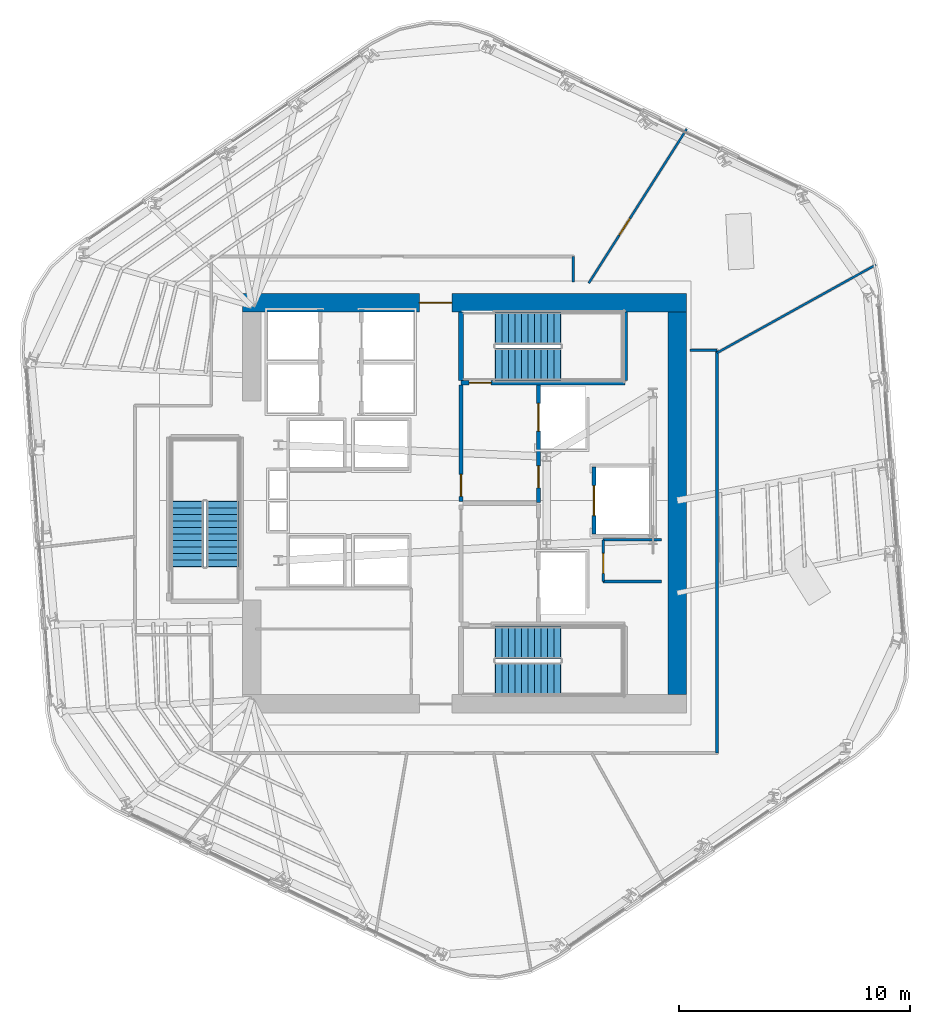
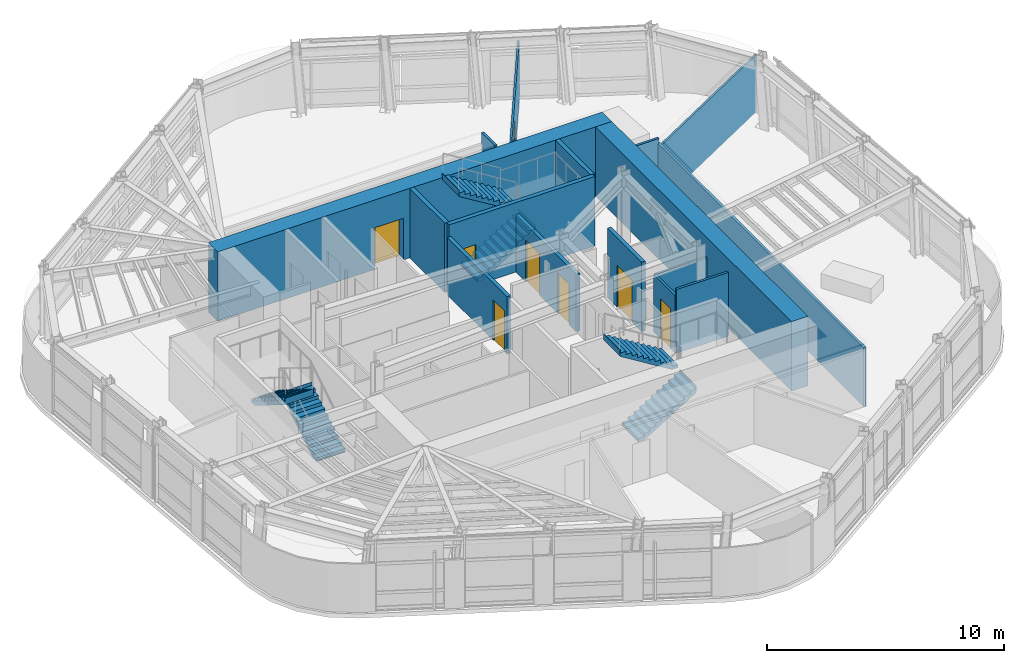
# One storey, part 9 of 15: 16 walls, 8 doors, 6 stair flights, 8 openings, 3 elements without a shape of their own.
"""IFC4 building model written with IfcOpenShell, lengths in metres."""

import ifcopenshell
import ifcopenshell.guid

model = None  # the IFC model being written
_history = None  # IfcOwnerHistory: only IFC2X3 demands one
_inside = {}  # id of a spatial element -> (the spatial element, [elements in it])
_under = {}  # id of a project, library or spatial element -> (it, [spatial elements below it])
_declared = {}  # id of a project -> (the project, [libraries it declares])
_typed = {}  # id of a type object -> (the type object, [elements of that type])
_made_of = {}  # id of a material, layer set ... -> (it, [elements and type objects made of it])


def new_model(schema):
    """Start an empty IFC model of exactly this schema.

    Asked for "IFC4X3", IfcOpenShell would pick the latest addendum, in which some entities
    have other attributes; the version numbers below select the first issue.
    IFC2X3 requires an IfcOwnerHistory on every rooted entity: one is made here for all.
    """
    global model, _history
    if schema == "IFC4X3":
        model = ifcopenshell.file(schema_version=(4, 3, 0, 0))
    else:
        model = ifcopenshell.file(schema=schema)
    _inside.clear()
    _under.clear()
    _declared.clear()
    _typed.clear()
    _made_of.clear()
    _history = None
    if model.schema == "IFC2X3":
        org = make("IfcOrganization", Name="unknown")
        user = make(
            "IfcPersonAndOrganization",
            ThePerson=make("IfcPerson", FamilyName="unknown"),
            TheOrganization=org,
        )
        app = make(
            "IfcApplication",
            ApplicationDeveloper=org,
            Version="unknown",
            ApplicationFullName="unknown",
            ApplicationIdentifier="unknown",
        )
        _history = make(
            "IfcOwnerHistory",
            OwningUser=user,
            OwningApplication=app,
            ChangeAction="ADDED",
            CreationDate=0,
        )
    return model


def make(cls, **values):
    """One entity of the class cls with the attributes given. An attribute that is None is left unset."""
    return model.create_entity(
        cls, **{name: value for name, value in values.items() if value is not None}
    )


def rooted(cls, **values):
    """An entity with a GlobalId (a new one), such as an element, a storey or a relation."""
    return make(cls, GlobalId=ifcopenshell.guid.new(), OwnerHistory=_history, **values)


def si_unit(unit_type, name, prefix=None):
    """IfcSIUnit, for example si_unit("LENGTHUNIT", "METRE", prefix="MILLI")."""
    return make("IfcSIUnit", UnitType=unit_type, Prefix=prefix, Name=name)


def assignment(units):
    """IfcUnitAssignment: the units of a project."""
    return None if units is None else make("IfcUnitAssignment", Units=units)


def point(xyz):
    """IfcCartesianPoint."""
    return None if xyz is None else make("IfcCartesianPoint", Coordinates=xyz)


def direction(xyz):
    """IfcDirection."""
    return None if xyz is None else make("IfcDirection", DirectionRatios=xyz)


def frame(location, z_axis=None, x_axis=None):
    """IfcAxis2Placement3D, a coordinate frame: its origin and axes. An axis left out is left unset."""
    return make(
        "IfcAxis2Placement3D",
        Location=point(location),
        Axis=direction(z_axis),
        RefDirection=direction(x_axis),
    )


def frame_2d(location, x_axis=None):
    """IfcAxis2Placement2D, a coordinate frame in the plane: its origin and x axis."""
    return make(
        "IfcAxis2Placement2D", Location=point(location), RefDirection=direction(x_axis)
    )


def origin():
    """The frame at (0, 0, 0) with its axes left unset."""
    return frame((0.0, 0.0, 0.0))


def place(relative_to, where):
    """IfcLocalPlacement: puts the frame where relative to a parent placement (None: the world)."""
    return make(
        "IfcLocalPlacement", PlacementRelTo=relative_to, RelativePlacement=where
    )


def context(
    kind, dimensions, precision=None, world=None, true_north=None, identifier=None
):
    """IfcGeometricRepresentationContext, for example the 3D "Model" context."""
    return make(
        "IfcGeometricRepresentationContext",
        ContextIdentifier=identifier,
        ContextType=kind,
        CoordinateSpaceDimension=dimensions,
        Precision=precision,
        WorldCoordinateSystem=world,
        TrueNorth=true_north,
    )


def subcontext(parent, identifier, kind, view, scale=None):
    """IfcGeometricRepresentationSubContext, for example "Body" below "Model"."""
    return make(
        "IfcGeometricRepresentationSubContext",
        ContextIdentifier=identifier,
        ContextType=kind,
        ParentContext=parent,
        TargetScale=scale,
        TargetView=view,
    )


def project(units=None, contexts=None):
    """IfcProject with its units and contexts."""
    return rooted(
        "IfcProject",
        Name="project",
        RepresentationContexts=contexts,
        UnitsInContext=assignment(units),
    )


def spatial(cls, under=None, at=None, **own):
    """A site, building, storey or space (cls), placed at a placement, below another one or the project."""
    s = rooted(cls, ObjectPlacement=at, **own)
    if under is not None:
        _under.setdefault(under.id(), (under, []))[1].append(s)
    return s


def polyline(points):
    """IfcPolyline through the points."""
    return make("IfcPolyline", Points=[point(p) for p in points])


def profile(cls, at=None, kind="AREA", **sizes):
    """A parametric profile (cls). Its sizes go by their IFC names, for example OverallWidth=200.0."""
    return make(cls, ProfileType=kind, Position=at, **sizes)


def rectangle(**sizes):
    """IfcRectangleProfileDef."""
    return profile("IfcRectangleProfileDef", **sizes)


def outline(outer, holes=None, kind="AREA"):
    """IfcArbitraryClosedProfileDef: a profile drawn as a closed curve; with holes, ...WithVoids."""
    if holes is None:
        return make("IfcArbitraryClosedProfileDef", ProfileType=kind, OuterCurve=outer)
    return make(
        "IfcArbitraryProfileDefWithVoids",
        ProfileType=kind,
        OuterCurve=outer,
        InnerCurves=holes,
    )


def extrude(swept, where, along, depth):
    """IfcExtrudedAreaSolid: the profile swept, set in the frame where, extruded along a direction by depth."""
    return make(
        "IfcExtrudedAreaSolid",
        SweptArea=swept,
        Position=where,
        ExtrudedDirection=direction(along),
        Depth=depth,
    )


def shape(context_of_items, identifier, shape_type, items):
    """IfcShapeRepresentation: the items that make up one representation, for example the "Body"."""
    return make(
        "IfcShapeRepresentation",
        ContextOfItems=context_of_items,
        RepresentationIdentifier=identifier,
        RepresentationType=shape_type,
        Items=items,
    )


def material(Name=None, Category=None):
    """IfcMaterial."""
    return make("IfcMaterial", Name=Name, Category=Category)


def layer(
    of_material, thickness, ventilated=None, Name=None, Category=None, Priority=None
):
    """IfcMaterialLayer: one layer of a wall or slab, of a material (None: an air gap)."""
    return make(
        "IfcMaterialLayer",
        Material=of_material,
        LayerThickness=thickness,
        IsVentilated=ventilated,
        Name=Name,
        Category=Category,
        Priority=Priority,
    )


def layer_set(layers, Name=None):
    """IfcMaterialLayerSet."""
    return make("IfcMaterialLayerSet", MaterialLayers=layers, LayerSetName=Name)


def made_of(thing, what):
    """Note that an element or type object is made of a material, layer set ...; save() writes the relation."""
    if what is not None:
        _made_of.setdefault(what.id(), (what, []))[1].append(thing)
    return thing


def type_object(cls, material=None, **own):
    """A type object (cls), such as IfcWallType, which elements share."""
    return made_of(rooted(cls, **own), material)


def element(
    cls,
    number,
    at=None,
    inside=None,
    cuts=None,
    type_object=None,
    material=None,
    context=None,
    identifier="Body",
    shape_type=None,
    held_by="IfcProductDefinitionShape",
    body=None,
    shapes=None,
    **own,
):
    """One element of the class cls, such as IfcWall. Its Tag is "e" and its number.

    at: its placement. inside: the storey or other place that contains it. cuts: it is an
    opening in that element (IfcRelVoidsElement). A single representation is given by context,
    identifier, shape_type and body (its items); several are given by shapes. held_by: the class
    of the entity that holds the representations. save() writes the other relations.
    """
    e = rooted(cls, Tag="e%d" % number, ObjectPlacement=at, **own)
    if body is not None:
        shapes = [shape(context, identifier, shape_type, body)]
    if shapes is not None:
        e.Representation = make(held_by, Representations=shapes)
    if inside is not None:
        _inside.setdefault(inside.id(), (inside, []))[1].append(e)
    if cuts is not None:
        rooted(
            "IfcRelVoidsElement", RelatingBuildingElement=cuts, RelatedOpeningElement=e
        )
    if type_object is not None:
        _typed.setdefault(type_object.id(), (type_object, []))[1].append(e)
    return made_of(e, material)


def fill(opening, filler):
    """IfcRelFillsElement: the door or window that sits in an opening."""
    return rooted(
        "IfcRelFillsElement",
        RelatingOpeningElement=opening,
        RelatedBuildingElement=filler,
    )


def aggregate(whole, parts):
    """IfcRelAggregates: a whole, such as a stair, and the parts it consists of."""
    return rooted("IfcRelAggregates", RelatingObject=whole, RelatedObjects=parts)


def save(model, path):
    """Write the relations noted so far, then the file.

    IfcRelAggregates (storeys below a building ...), IfcRelContainedInSpatialStructure (elements
    in a storey), IfcRelDefinesByType, IfcRelAssociatesMaterial and IfcRelDeclares: one each for
    every whole, place, type object, material and project.
    """
    for whole, parts in _under.values():
        aggregate(whole, parts)
    for where, things in _inside.values():
        rooted(
            "IfcRelContainedInSpatialStructure",
            RelatedElements=things,
            RelatingStructure=where,
        )
    for kind, things in _typed.values():
        rooted("IfcRelDefinesByType", RelatedObjects=things, RelatingType=kind)
    for what, things in _made_of.values():
        rooted("IfcRelAssociatesMaterial", RelatedObjects=things, RelatingMaterial=what)
    for by, libraries in _declared.values():
        rooted("IfcRelDeclares", RelatingContext=by, RelatedDefinitions=libraries)
    model.write(path)


model = new_model("IFC4")

# Units and contexts
model_context = context("Model", 3, precision=1e-05, world=origin(), true_north=direction((0.0, 1.0)))
body_context = subcontext(model_context, "Body", "Model", "MODEL_VIEW")
ifc_project = project(units=[si_unit("LENGTHUNIT", "METRE"), si_unit("AREAUNIT", "SQUARE_METRE"), si_unit("VOLUMEUNIT", "CUBIC_METRE"), si_unit("PLANEANGLEUNIT", "RADIAN"), si_unit("MASSUNIT", "GRAM", prefix="KILO")], contexts=[model_context])

# Site, building, storey
site_placement = place(None, origin())
site = spatial("IfcSite", under=ifc_project, at=site_placement, CompositionType="ELEMENT")
building_placement = place(site_placement, origin())
building = spatial("IfcBuilding", under=site, at=building_placement, Name="Valkerne Bourse Tower", CompositionType="ELEMENT")
storey_placement = place(building_placement, frame((0.0, 0.0, 170.39990234375)))
storey = spatial("IfcBuildingStorey", under=building, at=storey_placement, Name="L43", CompositionType="ELEMENT", Elevation=170.39990234375)

# Wall, opening, door
ifc_material_1 = material(Name="Concrete C55/67", Category="concrete")
ifc_layer_1 = layer(ifc_material_1, 0.800048828125)
ifc_layer_set_1 = layer_set([ifc_layer_1], Name="Concrete C55/67")
wall_type_1 = type_object("IfcWallType", Name="W-CORE-800", PredefinedType="SHEAR", material=ifc_layer_set_1)
wall_1_placement = place(storey_placement, frame((37.199951171875, 35.550048828125, 0.0), z_axis=(0.0, 0.0, 1.0), x_axis=(1.0, 0.0, 0.0)))
wall_1 = element("IfcWall", 1, at=wall_1_placement, inside=storey, type_object=wall_type_1, Name="L43 Core Shear Wall NORTH", PredefinedType="SHEAR", context=body_context, shape_type="SweptSolid", body=[
    extrude(rectangle(XDim=19.199951171875, YDim=0.800048828125, at=frame_2d((9.60009765625, 0.0))), origin(), (0.0, 0.0, 1.0), 3.580078125),
])
opening_1_placement = place(wall_1_placement, frame((7.64990234375, 0.0, 0.0)))
opening_1 = element("IfcOpeningElement", 2, at=opening_1_placement, cuts=wall_1, Name="Opening D-PL-1400", PredefinedType="OPENING", context=body_context, shape_type="SweptSolid", body=[
    extrude(rectangle(XDim=1.39990234375, YDim=2.14990234375, at=frame_2d((0.699951171875, 1.074951171875))), frame((0.0, 0.409912109375, 0.0), z_axis=(0.0, -1.0, 0.0), x_axis=(1.0, 0.0, 0.0)), (0.0, 0.0, 1.0), 0.820068359375),
])
ifc_material_2 = material(Name="Galvanised Painted Steel", Category="steel")
door_type_1 = type_object("IfcDoorType", Name="DR-PLT-1400", OperationType="DOUBLE_DOOR_SINGLE_SWING", PredefinedType="DOOR", material=ifc_material_2)
door_1_placement = place(opening_1_placement, origin())
door_1 = element("IfcDoor", 3, at=door_1_placement, inside=storey, type_object=door_type_1, Name="L43 North Passenger Lift Hall Fire Door", OperationType="DOUBLE_DOOR_SINGLE_SWING", OverallHeight=2.14990234375, OverallWidth=1.39990234375, PredefinedType="DOOR", context=body_context, shape_type="SweptSolid", body=[
    extrude(rectangle(XDim=1.39990234375, YDim=2.14990234375, at=frame_2d((0.699951171875, 1.074951171875))), frame((0.0, 0.02490234375, 0.0), z_axis=(0.0, -1.0, 0.0), x_axis=(1.0, 0.0, 0.0)), (0.0, 0.0, 1.0), 0.050048828125),
])
fill(opening_1, door_1)

# Wall
wall_2_placement = place(storey_placement, frame((56.0, 18.60009765625, 0.0), z_axis=(0.0, 0.0, 1.0), x_axis=(0.0, 1.0, 0.0)))
element("IfcWall", 4, at=wall_2_placement, inside=storey, type_object=wall_type_1, Name="L43 Core Shear Wall EAST", PredefinedType="SHEAR", context=body_context, shape_type="SweptSolid", body=[
    extrude(rectangle(XDim=16.5498046875, YDim=0.800048828125, at=frame_2d((8.27490234375, 0.0))), origin(), (0.0, 0.0, 1.0), 3.580078125),
])

# Wall, opening, door
ifc_material_3 = material(Name="Gypsum Board Steel-Stud Partition", Category="steel")
ifc_layer_2 = layer(ifc_material_3, 0.117919921875)
ifc_layer_set_2 = layer_set([ifc_layer_2], Name="Gypsum Board Steel-Stud Partition")
wall_type_2 = type_object("IfcWallType", Name="W-CORR-140", PredefinedType="PARTITIONING", material=ifc_layer_set_2)
wall_3_placement = place(storey_placement, frame((52.800048828125, 23.5, 0.0), z_axis=(0.0, 0.0, 1.0), x_axis=(0.0, 1.0, 0.0)))
wall_3 = element("IfcWall", 5, at=wall_3_placement, inside=storey, type_object=wall_type_2, Name="L43 Core SE North-Bay West Wall", PredefinedType="PARTITIONING", context=body_context, shape_type="SweptSolid", body=[
    extrude(rectangle(XDim=1.800048828125, YDim=0.117919921875, at=frame_2d((0.89990234375, 0.0))), origin(), (0.0, 0.0, 1.0), 2.9580078125),
])
opening_2_placement = place(wall_3_placement, frame((0.35009765625, 0.0, 0.0)))
opening_2 = element("IfcOpeningElement", 6, at=opening_2_placement, cuts=wall_3, Name="Opening D-WC-900", PredefinedType="OPENING", context=body_context, shape_type="SweptSolid", body=[
    extrude(rectangle(XDim=0.860107421875, YDim=2.050048828125, at=frame_2d((0.43017578125, 1.02490234375))), frame((0.0, 0.06884765625, 0.0), z_axis=(0.0, -1.0, 0.0), x_axis=(1.0, 0.0, 0.0)), (0.0, 0.0, 1.0), 0.137939453125),
])
ifc_material_4 = material(Name="Architectural White Oak Timber", Category="wood")
door_type_2 = type_object("IfcDoorType", Name="DR-WC-900", OperationType="NOTDEFINED", PredefinedType="DOOR", material=ifc_material_4)
door_2_placement = place(opening_2_placement, origin())
door_2 = element("IfcDoor", 7, at=door_2_placement, inside=storey, type_object=door_type_2, Name="L43 Telecom Closet Door", OperationType="SINGLE_SWING_LEFT", OverallHeight=2.050048828125, OverallWidth=0.860107421875, PredefinedType="DOOR", context=body_context, shape_type="SweptSolid", body=[
    extrude(rectangle(XDim=0.860107421875, YDim=2.050048828125, at=frame_2d((0.43017578125, 1.02490234375))), frame((0.0, 0.02490234375, 0.0), z_axis=(0.0, -1.0, 0.0), x_axis=(1.0, 0.0, 0.0)), (0.0, 0.0, 1.0), 0.050048828125),
])
fill(opening_2, door_2)

# Walls
wall_4_placement = place(storey_placement, frame((52.800048828125, 23.5, 0.0), z_axis=(0.0, 0.0, 1.0), x_axis=(1.0, 0.0, 0.0)))
element("IfcWall", 8, at=wall_4_placement, inside=storey, type_object=wall_type_2, Name="L43 Core SE North-Bay South Wall", PredefinedType="PARTITIONING", context=body_context, shape_type="SweptSolid", body=[
    extrude(rectangle(XDim=2.52001953125, YDim=0.117919921875, at=frame_2d((1.260009765625, 0.0))), origin(), (0.0, 0.0, 1.0), 3.280029296875),
])
wall_5_placement = place(storey_placement, frame((52.800048828125, 25.300048828125, 0.0), z_axis=(0.0, 0.0, 1.0), x_axis=(1.0, 0.0, 0.0)))
element("IfcWall", 9, at=wall_5_placement, inside=storey, type_object=wall_type_2, Name="L43 Core SE North-Bay North Wall", PredefinedType="PARTITIONING", context=body_context, shape_type="SweptSolid", body=[
    extrude(rectangle(XDim=2.52001953125, YDim=0.117919921875, at=frame_2d((1.260009765625, 0.0))), origin(), (0.0, 0.0, 1.0), 2.9580078125),
])
wall_6_placement = place(storey_placement, frame((51.5, 37.56005859375, 0.0), z_axis=(0.0, 0.0, 1.0), x_axis=(0.0, -1.0, 0.0)))
element("IfcWall", 10, at=wall_6_placement, inside=storey, type_object=wall_type_2, Name="L43 Corridor Enclosure Wall", PredefinedType="PARTITIONING", context=body_context, shape_type="SweptSolid", body=[
    extrude(rectangle(XDim=1.10009765625, YDim=0.117919921875, at=frame_2d((0.550048828125, 0.0))), origin(), (0.0, 0.0, 1.0), 3.280029296875),
])
wall_7_placement = place(storey_placement, frame((56.56005859375, 33.5, 0.0), z_axis=(0.0, 0.0, 1.0), x_axis=(1.0, 0.0, 0.0)))
element("IfcWall", 11, at=wall_7_placement, inside=storey, type_object=wall_type_2, Name="L43 Corridor Enclosure Wall", PredefinedType="PARTITIONING", context=body_context, shape_type="SweptSolid", body=[
    extrude(rectangle(XDim=1.159912109375, YDim=0.117919921875, at=frame_2d((0.580078125, 0.0))), origin(), (0.0, 0.0, 1.0), 3.280029296875),
])
wall_8_placement = place(storey_placement, frame((57.719970703125, 33.5, 0.0), z_axis=(0.0, 0.0, 1.0), x_axis=(0.0, -1.0, 0.0)))
element("IfcWall", 12, at=wall_8_placement, inside=storey, type_object=wall_type_2, Name="L43 Corridor Enclosure Wall", PredefinedType="PARTITIONING", context=body_context, shape_type="SweptSolid", body=[
    extrude(rectangle(XDim=17.419921875, YDim=0.117919921875, at=frame_2d((8.7099609375, 0.0))), origin(), (0.0, 0.0, 1.0), 3.03662109375),
])

# Wall, opening, door
ifc_material_5 = material(Name="Gypsum Fire-Rated Shaftwall", Category="gypsum")
ifc_layer_3 = layer(ifc_material_5, 0.179931640625)
ifc_layer_set_3 = layer_set([ifc_layer_3], Name="Gypsum Fire-Rated Shaftwall")
wall_type_3 = type_object("IfcWallType", Name="W-FSAE-180", PredefinedType="PARTITIONING", material=ifc_layer_set_3)
wall_9_placement = place(storey_placement, frame((46.64990234375, 26.9599609375, 0.0), z_axis=(0.0, 0.0, 1.0), x_axis=(0.0, 1.0, 0.0)))
wall_9 = element("IfcWall", 13, at=wall_9_placement, inside=storey, type_object=wall_type_3, Name="L43 FSAE-2 Lobby West Fire Wall", PredefinedType="PARTITIONING", context=body_context, shape_type="SweptSolid", body=[
    extrude(rectangle(XDim=5.0400390625, YDim=0.179931640625, at=frame_2d((2.52001953125, 0.0))), origin(), (0.0, 0.0, 1.0), 2.9580078125),
])
opening_3_placement = place(wall_9_placement, frame((0.219970703125, 0.0, 0.0)))
opening_3 = element("IfcOpeningElement", 14, at=opening_3_placement, cuts=wall_9, Name="Opening D-FS-950", PredefinedType="OPENING", context=body_context, shape_type="SweptSolid", body=[
    extrude(rectangle(XDim=0.949951171875, YDim=2.10009765625, at=frame_2d((0.47509765625, 1.050048828125))), frame((0.0, 0.099853515625, 0.0), z_axis=(0.0, -1.0, 0.0), x_axis=(1.0, 0.0, 0.0)), (0.0, 0.0, 1.0), 0.199951171875),
])
door_type_3 = type_object("IfcDoorType", Name="DR-FSAE-950", OperationType="NOTDEFINED", PredefinedType="DOOR", material=ifc_material_2)
door_3_placement = place(opening_3_placement, origin())
door_3 = element("IfcDoor", 15, at=door_3_placement, inside=storey, type_object=door_type_3, Name="L43 FSAE-2 Hall Link Fire Door", OperationType="SINGLE_SWING_RIGHT", OverallHeight=2.10009765625, OverallWidth=0.949951171875, PredefinedType="DOOR", context=body_context, shape_type="SweptSolid", body=[
    extrude(rectangle(XDim=0.949951171875, YDim=2.10009765625, at=frame_2d((0.47509765625, 1.050048828125))), frame((0.0, 0.02490234375, 0.0), z_axis=(0.0, -1.0, 0.0), x_axis=(1.0, 0.0, 0.0)), (0.0, 0.0, 1.0), 0.050048828125),
])
fill(opening_3, door_3)

# Wall, openings, doors
wall_10_placement = place(storey_placement, frame((50.0, 26.919921875, 0.0), z_axis=(0.0, 0.0, 1.0), x_axis=(0.0, 1.0, 0.0)))
wall_10 = element("IfcWall", 16, at=wall_10_placement, inside=storey, type_object=wall_type_3, Name="L43 FSAE-2 Lobby & Shaft Front Wall", PredefinedType="PARTITIONING", context=body_context, shape_type="SweptSolid", body=[
    extrude(rectangle(XDim=5.080078125, YDim=0.179931640625, at=frame_2d((2.5400390625, 0.0))), origin(), (0.0, 0.0, 1.0), 2.9580078125),
])
opening_4_placement = place(wall_10_placement, frame((3.080078125, 0.0, 0.0)))
opening_4 = element("IfcOpeningElement", 17, at=opening_4_placement, cuts=wall_10, Name="Opening LD-1200", PredefinedType="OPENING", context=body_context, shape_type="SweptSolid", body=[
    extrude(rectangle(XDim=1.199951171875, YDim=2.14990234375, at=frame_2d((0.60009765625, 1.074951171875))), frame((0.0, 0.099853515625, 0.0), z_axis=(0.0, -1.0, 0.0), x_axis=(1.0, 0.0, 0.0)), (0.0, 0.0, 1.0), 0.199951171875),
])
opening_5_placement = place(wall_10_placement, frame((0.6298828125, 0.0, 0.0)))
opening_5 = element("IfcOpeningElement", 18, at=opening_5_placement, cuts=wall_10, Name="Opening D-FS-950", PredefinedType="OPENING", context=body_context, shape_type="SweptSolid", body=[
    extrude(rectangle(XDim=0.949951171875, YDim=2.10009765625, at=frame_2d((0.47509765625, 1.050048828125))), frame((0.0, 0.099853515625, 0.0), z_axis=(0.0, -1.0, 0.0), x_axis=(1.0, 0.0, 0.0)), (0.0, 0.0, 1.0), 0.199951171875),
])
door_4_placement = place(opening_5_placement, origin())
door_4 = element("IfcDoor", 19, at=door_4_placement, inside=storey, type_object=door_type_3, Name="L43 FSAE-2 Lobby Corridor Fire Door", OperationType="SINGLE_SWING_RIGHT", OverallHeight=2.10009765625, OverallWidth=0.949951171875, PredefinedType="DOOR", context=body_context, shape_type="SweptSolid", body=[
    extrude(rectangle(XDim=0.949951171875, YDim=2.10009765625, at=frame_2d((0.47509765625, 1.050048828125))), frame((0.0, 0.02490234375, 0.0), z_axis=(0.0, -1.0, 0.0), x_axis=(1.0, 0.0, 0.0)), (0.0, 0.0, 1.0), 0.050048828125),
])
fill(opening_5, door_4)
ifc_material_6 = material(Name="Stainless Steel AISI 316", Category="steel")
door_type_4 = type_object("IfcDoorType", Name="DR-LIFT-1200", OperationType="DOUBLE_DOOR_SLIDING", PredefinedType="DOOR", material=ifc_material_6)
door_5_placement = place(opening_4_placement, origin())
door_5 = element("IfcDoor", 20, at=door_5_placement, inside=storey, type_object=door_type_4, Name="L43 FSAE-2 Firefighting Lift Landing Door", OperationType="DOUBLE_DOOR_SLIDING", OverallHeight=2.14990234375, OverallWidth=1.199951171875, PredefinedType="DOOR", context=body_context, shape_type="SweptSolid", body=[
    extrude(rectangle(XDim=1.199951171875, YDim=2.14990234375, at=frame_2d((0.60009765625, 1.074951171875))), frame((0.0, 0.02490234375, 0.0), z_axis=(0.0, -1.0, 0.0), x_axis=(1.0, 0.0, 0.0)), (0.0, 0.0, 1.0), 0.050048828125),
])
fill(opening_4, door_5)

# Wall, opening, door
ifc_material_7 = material(Name="CMU Blockwork Masonry 200mm", Category="masonry")
ifc_layer_4 = layer(ifc_material_7, 0.179931640625)
ifc_layer_set_4 = layer_set([ifc_layer_4], Name="CMU Blockwork Masonry 200mm")
wall_type_4 = type_object("IfcWallType", Name="W-LFT-180", PredefinedType="SOLIDWALL", material=ifc_layer_set_4)
wall_11_placement = place(storey_placement, frame((52.39990234375, 25.550048828125, 0.0), z_axis=(0.0, 0.0, 1.0), x_axis=(0.0, 1.0, 0.0)))
wall_11 = element("IfcWall", 21, at=wall_11_placement, inside=storey, type_object=wall_type_4, Name="L43 Service Lift SV-1 Front Wall", PredefinedType="SOLIDWALL", context=body_context, shape_type="SweptSolid", body=[
    extrude(rectangle(XDim=2.89990234375, YDim=0.179931640625, at=frame_2d((1.449951171875, 0.0))), origin(), (0.0, 0.0, 1.0), 3.580078125),
])
opening_6_placement = place(wall_11_placement, frame((0.800048828125, 0.0, 0.0)))
opening_6 = element("IfcOpeningElement", 22, at=opening_6_placement, cuts=wall_11, Name="Opening LD-1300", PredefinedType="OPENING", context=body_context, shape_type="SweptSolid", body=[
    extrude(rectangle(XDim=1.300048828125, YDim=2.14990234375, at=frame_2d((0.64990234375, 1.074951171875))), frame((0.0, 0.099853515625, 0.0), z_axis=(0.0, -1.0, 0.0), x_axis=(1.0, 0.0, 0.0)), (0.0, 0.0, 1.0), 0.199951171875),
])
door_type_5 = type_object("IfcDoorType", Name="DR-LIFT-1300", OperationType="DOUBLE_DOOR_SLIDING", PredefinedType="DOOR", material=ifc_material_6)
door_6_placement = place(opening_6_placement, origin())
door_6 = element("IfcDoor", 23, at=door_6_placement, inside=storey, type_object=door_type_5, Name="L43 Service Lift SV-1 Landing Door", OperationType="DOUBLE_DOOR_SLIDING", OverallHeight=2.14990234375, OverallWidth=1.300048828125, PredefinedType="DOOR", context=body_context, shape_type="SweptSolid", body=[
    extrude(rectangle(XDim=1.300048828125, YDim=2.14990234375, at=frame_2d((0.64990234375, 1.074951171875))), frame((0.0, 0.02490234375, 0.0), z_axis=(0.0, -1.0, 0.0), x_axis=(1.0, 0.0, 0.0)), (0.0, 0.0, 1.0), 0.050048828125),
])
fill(opening_6, door_6)

# Wall
ifc_layer_5 = layer(ifc_material_3, 0.092041015625)
ifc_layer_set_5 = layer_set([ifc_layer_5], Name="Gypsum Board Steel-Stud Partition")
wall_type_5 = type_object("IfcWallType", Name="W-PART-115", PredefinedType="PARTITIONING", material=ifc_layer_set_5)
wall_12_placement = place(storey_placement, frame((57.72509765625, 33.39013671875, 0.0), z_axis=(0.0, 0.0, 1.0), x_axis=(0.874570372185, 0.484898612183, 0.0)))
element("IfcWall", 24, at=wall_12_placement, inside=storey, type_object=wall_type_5, Name="L43 Suite Partition P04", PredefinedType="PARTITIONING", context=body_context, shape_type="SweptSolid", body=[
    extrude(rectangle(XDim=7.85546875, YDim=0.092041015625, at=frame_2d((3.927734375, 0.0))), origin(), (0.0, 0.0, 1.0), 2.942626953125),
])

# Wall, opening, door
wall_13_placement = place(storey_placement, frame((52.174560546875, 36.39990234375, 0.0), z_axis=(0.0, 0.0, 1.0), x_axis=(0.536417658759, 0.843952661808, 0.0)))
wall_13 = element("IfcWall", 25, at=wall_13_placement, inside=storey, type_object=wall_type_5, Name="L43 Suite Partition P05", PredefinedType="PARTITIONING", context=body_context, shape_type="SweptSolid", body=[
    extrude(rectangle(XDim=7.90283203125, YDim=0.092041015625, at=frame_2d((3.951416015625, 0.0))), origin(), (0.0, 0.0, 1.0), 2.942626953125),
])
opening_7_placement = place(wall_13_placement, frame((2.465087890625, 0.0, 0.0)))
opening_7 = element("IfcOpeningElement", 26, at=opening_7_placement, cuts=wall_13, Name="Opening D-WC-900", PredefinedType="OPENING", context=body_context, shape_type="SweptSolid", body=[
    extrude(rectangle(XDim=0.860107421875, YDim=2.050048828125, at=frame_2d((0.43017578125, 1.02490234375))), frame((0.0, 0.055908203125, 0.0), z_axis=(0.0, -1.0, 0.0), x_axis=(1.0, 0.0, 0.0)), (0.0, 0.0, 1.0), 0.112060546875),
])
door_7_placement = place(opening_7_placement, origin())
door_7 = element("IfcDoor", 27, at=door_7_placement, inside=storey, type_object=door_type_2, Name="L43 L43 Executive Advisory Suite Office 5 Suite Door", OperationType="SINGLE_SWING_LEFT", OverallHeight=2.050048828125, OverallWidth=0.860107421875, PredefinedType="DOOR", context=body_context, shape_type="SweptSolid", body=[
    extrude(rectangle(XDim=0.860107421875, YDim=2.050048828125, at=frame_2d((0.43017578125, 1.02490234375))), frame((0.0, 0.02490234375, 0.0), z_axis=(0.0, -1.0, 0.0), x_axis=(1.0, 0.0, 0.0)), (0.0, 0.0, 1.0), 0.050048828125),
])
fill(opening_7, door_7)

ifc_material_8 = material(Name="Concrete C40/50", Category="concrete")
ifc_layer_6 = layer(ifc_material_8, 0.199951171875)
ifc_layer_set_6 = layer_set([ifc_layer_6], Name="Concrete C40/50")
wall_type_6 = type_object("IfcWallType", Name="W-SHF-200", PredefinedType="SHEAR", material=ifc_layer_set_6)
wall_14_placement = place(storey_placement, frame((46.64990234375, 32.10009765625, 0.0), z_axis=(0.0, 0.0, 1.0), x_axis=(1.0, 0.0, 0.0)))
wall_14 = element("IfcWall", 28, at=wall_14_placement, inside=storey, type_object=wall_type_6, Name="L43 Exit Stair ST-2 Structural Shaft Wall South", PredefinedType="SHEAR", context=body_context, shape_type="SweptSolid", body=[
    extrude(rectangle(XDim=7.10009765625, YDim=0.199951171875, at=frame_2d((3.550048828125, 0.0))), origin(), (0.0, 0.0, 1.0), 3.580078125),
])
opening_8_placement = place(wall_14_placement, frame((0.35009765625, 0.0, 0.0)))
opening_8 = element("IfcOpeningElement", 29, at=opening_8_placement, cuts=wall_14, Name="Opening D-ST-950", PredefinedType="OPENING", context=body_context, shape_type="SweptSolid", body=[
    extrude(rectangle(XDim=0.949951171875, YDim=2.10009765625, at=frame_2d((0.47509765625, 1.050048828125))), frame((0.0, 0.10986328125, 0.0), z_axis=(0.0, -1.0, 0.0), x_axis=(1.0, 0.0, 0.0)), (0.0, 0.0, 1.0), 0.219970703125),
])
door_type_6 = type_object("IfcDoorType", Name="DR-STAIR-950", OperationType="NOTDEFINED", PredefinedType="DOOR", material=ifc_material_2)
door_8_placement = place(opening_8_placement, origin())
door_8 = element("IfcDoor", 30, at=door_8_placement, inside=storey, type_object=door_type_6, Name="L43 Exit Stair ST-2 Door", OperationType="SINGLE_SWING_RIGHT", OverallHeight=2.10009765625, OverallWidth=0.949951171875, PredefinedType="DOOR", context=body_context, shape_type="SweptSolid", body=[
    extrude(rectangle(XDim=0.949951171875, YDim=2.10009765625, at=frame_2d((0.47509765625, 1.050048828125))), frame((0.0, 0.02490234375, 0.0), z_axis=(0.0, -1.0, 0.0), x_axis=(1.0, 0.0, 0.0)), (0.0, 0.0, 1.0), 0.050048828125),
])
fill(opening_8, door_8)

# Walls
for number, where, z_axis, x_axis, name in (
    (31, (46.64990234375, 32.199951171875, 0.0), (0.0, 0.0, 1.0), (0.0, 1.0, 0.0), "L43 Exit Stair ST-2 Structural Shaft Wall West"),
    (32, (53.75, 32.199951171875, 0.0), (0.0, 0.0, 1.0), (0.0, 1.0, 0.0), "L43 Exit Stair ST-2 Structural Shaft Wall East"),
):
    element("IfcWall", number, at=place(storey_placement, frame(where, z_axis=z_axis, x_axis=x_axis)), inside=storey, type_object=wall_type_6, Name=name, PredefinedType="SHEAR", context=body_context, shape_type="SweptSolid", body=[
        extrude(rectangle(XDim=2.949951171875, YDim=0.199951171875, at=frame_2d((1.47509765625, 0.0))), origin(), (0.0, 0.0, 1.0), 3.580078125),
    ])

# Stair, stair flights
stair_type = type_object("IfcStairType", Name="ST-CORE-1400", PredefinedType="HALF_TURN_STAIR", material=ifc_material_8)
stair_1_placement = place(storey_placement, origin())
stair_1 = element("IfcStair", 33, at=stair_1_placement, inside=storey, type_object=stair_type, Name="L43 ST-1", PredefinedType="HALF_TURN_STAIR")
stair_flight_type = type_object("IfcStairFlightType", Name="STF-CORE-1400", PredefinedType="STRAIGHT", material=ifc_material_8)
stair_flight_1_placement = place(storey_placement, frame((48.14990234375, 19.300048828125, 0.0), z_axis=(0.0, 0.0, 1.0), x_axis=(1.0, 0.0, 0.0)))
stair_flight_1 = element("IfcStairFlight", 34, at=stair_flight_1_placement, type_object=stair_flight_type, Name="ST-1 flight 1", NumberOfRisers=11, NumberOfTreads=10, PredefinedType="STRAIGHT", RiserHeight=0.172727273, TreadLength=0.28, context=body_context, shape_type="SweptSolid", body=[
    extrude(outline(polyline([(-0.02001953125, 0.0), (-0.02001953125, 0.044921875), (0.0, 0.044921875), (0.0, 0.172607421875), (0.280029296875, 0.172607421875), (0.280029296875, 0.345458984375), (0.56005859375, 0.345458984375), (0.56005859375, 0.51806640625), (0.840087890625, 0.51806640625), (0.840087890625, 0.69091796875), (1.1201171875, 0.69091796875), (1.1201171875, 0.863525390625), (1.39990234375, 0.863525390625), (1.39990234375, 1.036376953125), (1.679931640625, 1.036376953125), (1.679931640625, 1.208984375), (1.9599609375, 1.208984375), (1.9599609375, 1.3818359375), (2.239990234375, 1.3818359375), (2.239990234375, 1.554443359375), (2.52001953125, 1.554443359375), (2.52001953125, 1.727294921875), (2.800048828125, 1.727294921875), (2.800048828125, 1.89990234375), (2.820068359375, 1.89990234375), (2.820068359375, 1.780029296875), (2.800048828125, 1.551025390625), (0.285400390625, 0.0), (-0.02001953125, 0.0)])), frame((0.0, 0.699951171875, 0.0), z_axis=(0.0, -1.0, 0.0), x_axis=(1.0, 0.0, 0.0)), (0.0, 0.0, 1.0), 1.39990234375),
])
stair_flight_2_placement = place(storey_placement, frame((50.949951171875, 20.85009765625, 1.900146484375), z_axis=(0.0, 0.0, 1.0), x_axis=(-1.0, 0.0, 0.0)))
stair_flight_2 = element("IfcStairFlight", 35, at=stair_flight_2_placement, type_object=stair_flight_type, Name="ST-1 flight 2", NumberOfRisers=11, NumberOfTreads=10, PredefinedType="STRAIGHT", RiserHeight=0.172727273, TreadLength=0.28, context=body_context, shape_type="SweptSolid", body=[
    extrude(outline(polyline([(-0.02001953125, 0.0), (-0.02001953125, 0.044921875), (0.0, 0.044921875), (0.0, 0.172607421875), (0.280029296875, 0.172607421875), (0.280029296875, 0.345458984375), (0.56005859375, 0.345458984375), (0.56005859375, 0.51806640625), (0.840087890625, 0.51806640625), (0.840087890625, 0.69091796875), (1.1201171875, 0.69091796875), (1.1201171875, 0.863525390625), (1.39990234375, 0.863525390625), (1.39990234375, 1.036376953125), (1.679931640625, 1.036376953125), (1.679931640625, 1.208984375), (1.9599609375, 1.208984375), (1.9599609375, 1.3818359375), (2.239990234375, 1.3818359375), (2.239990234375, 1.554443359375), (2.52001953125, 1.554443359375), (2.52001953125, 1.727294921875), (2.800048828125, 1.727294921875), (2.800048828125, 1.89990234375), (2.820068359375, 1.89990234375), (2.820068359375, 1.780029296875), (2.800048828125, 1.551025390625), (0.285400390625, 0.0), (-0.02001953125, 0.0)])), frame((0.0, 0.699951171875, 0.0), z_axis=(0.0, -1.0, 0.0), x_axis=(1.0, 0.0, 0.0)), (0.0, 0.0, 1.0), 1.39990234375),
])
aggregate(stair_1, [stair_flight_1, stair_flight_2])

stair_2_placement = place(storey_placement, origin())
stair_2 = element("IfcStair", 36, at=stair_2_placement, inside=storey, type_object=stair_type, Name="L43 ST-2", PredefinedType="HALF_TURN_STAIR")
stair_flight_3_placement = place(storey_placement, frame((48.14990234375, 32.89990234375, 0.0), z_axis=(0.0, 0.0, 1.0), x_axis=(1.0, 0.0, 0.0)))
stair_flight_3 = element("IfcStairFlight", 37, at=stair_flight_3_placement, type_object=stair_flight_type, Name="ST-2 flight 1", NumberOfRisers=11, NumberOfTreads=10, PredefinedType="STRAIGHT", RiserHeight=0.172727273, TreadLength=0.28, context=body_context, shape_type="SweptSolid", body=[
    extrude(outline(polyline([(-0.02001953125, 0.0), (-0.02001953125, 0.044921875), (0.0, 0.044921875), (0.0, 0.172607421875), (0.280029296875, 0.172607421875), (0.280029296875, 0.345458984375), (0.56005859375, 0.345458984375), (0.56005859375, 0.51806640625), (0.840087890625, 0.51806640625), (0.840087890625, 0.69091796875), (1.1201171875, 0.69091796875), (1.1201171875, 0.863525390625), (1.39990234375, 0.863525390625), (1.39990234375, 1.036376953125), (1.679931640625, 1.036376953125), (1.679931640625, 1.208984375), (1.9599609375, 1.208984375), (1.9599609375, 1.3818359375), (2.239990234375, 1.3818359375), (2.239990234375, 1.554443359375), (2.52001953125, 1.554443359375), (2.52001953125, 1.727294921875), (2.800048828125, 1.727294921875), (2.800048828125, 1.89990234375), (2.820068359375, 1.89990234375), (2.820068359375, 1.780029296875), (2.800048828125, 1.551025390625), (0.285400390625, 0.0), (-0.02001953125, 0.0)])), frame((0.0, 0.699951171875, 0.0), z_axis=(0.0, -1.0, 0.0), x_axis=(1.0, 0.0, 0.0)), (0.0, 0.0, 1.0), 1.39990234375),
])
stair_flight_4_placement = place(storey_placement, frame((50.949951171875, 34.449951171875, 1.900146484375), z_axis=(0.0, 0.0, 1.0), x_axis=(-1.0, 0.0, 0.0)))
stair_flight_4 = element("IfcStairFlight", 38, at=stair_flight_4_placement, type_object=stair_flight_type, Name="ST-2 flight 2", NumberOfRisers=11, NumberOfTreads=10, PredefinedType="STRAIGHT", RiserHeight=0.172727273, TreadLength=0.28, context=body_context, shape_type="SweptSolid", body=[
    extrude(outline(polyline([(-0.02001953125, 0.0), (-0.02001953125, 0.044921875), (0.0, 0.044921875), (0.0, 0.172607421875), (0.280029296875, 0.172607421875), (0.280029296875, 0.345458984375), (0.56005859375, 0.345458984375), (0.56005859375, 0.51806640625), (0.840087890625, 0.51806640625), (0.840087890625, 0.69091796875), (1.1201171875, 0.69091796875), (1.1201171875, 0.863525390625), (1.39990234375, 0.863525390625), (1.39990234375, 1.036376953125), (1.679931640625, 1.036376953125), (1.679931640625, 1.208984375), (1.9599609375, 1.208984375), (1.9599609375, 1.3818359375), (2.239990234375, 1.3818359375), (2.239990234375, 1.554443359375), (2.52001953125, 1.554443359375), (2.52001953125, 1.727294921875), (2.800048828125, 1.727294921875), (2.800048828125, 1.89990234375), (2.820068359375, 1.89990234375), (2.820068359375, 1.780029296875), (2.800048828125, 1.551025390625), (0.285400390625, 0.0), (-0.02001953125, 0.0)])), frame((0.0, 0.699951171875, 0.0), z_axis=(0.0, -1.0, 0.0), x_axis=(1.0, 0.0, 0.0)), (0.0, 0.0, 1.0), 1.39990234375),
])
aggregate(stair_2, [stair_flight_3, stair_flight_4])

stair_3_placement = place(storey_placement, origin())
stair_3 = element("IfcStair", 39, at=stair_3_placement, inside=storey, type_object=stair_type, Name="L43 ST-3", PredefinedType="HALF_TURN_STAIR")
stair_flight_5_placement = place(storey_placement, frame((36.35009765625, 24.14990234375, 0.0), z_axis=(0.0, 0.0, 1.0), x_axis=(0.0, 1.0, 0.0)))
stair_flight_5 = element("IfcStairFlight", 40, at=stair_flight_5_placement, type_object=stair_flight_type, Name="ST-3 flight 1", NumberOfRisers=11, NumberOfTreads=10, PredefinedType="STRAIGHT", RiserHeight=0.172727273, TreadLength=0.28, context=body_context, shape_type="SweptSolid", body=[
    extrude(outline(polyline([(-0.02001953125, 0.0), (-0.02001953125, 0.044921875), (0.0, 0.044921875), (0.0, 0.172607421875), (0.280029296875, 0.172607421875), (0.280029296875, 0.345458984375), (0.56005859375, 0.345458984375), (0.56005859375, 0.51806640625), (0.840087890625, 0.51806640625), (0.840087890625, 0.69091796875), (1.1201171875, 0.69091796875), (1.1201171875, 0.863525390625), (1.39990234375, 0.863525390625), (1.39990234375, 1.036376953125), (1.679931640625, 1.036376953125), (1.679931640625, 1.208984375), (1.9599609375, 1.208984375), (1.9599609375, 1.3818359375), (2.239990234375, 1.3818359375), (2.239990234375, 1.554443359375), (2.52001953125, 1.554443359375), (2.52001953125, 1.727294921875), (2.800048828125, 1.727294921875), (2.800048828125, 1.89990234375), (2.820068359375, 1.89990234375), (2.820068359375, 1.780029296875), (2.800048828125, 1.551025390625), (0.285400390625, 0.0), (-0.02001953125, 0.0)])), frame((0.0, 0.699951171875, 0.0), z_axis=(0.0, -1.0, 0.0), x_axis=(1.0, 0.0, 0.0)), (0.0, 0.0, 1.0), 1.39990234375),
])
stair_flight_6_placement = place(storey_placement, frame((34.800048828125, 26.949951171875, 1.900146484375), z_axis=(0.0, 0.0, 1.0), x_axis=(0.0, -1.0, 0.0)))
stair_flight_6 = element("IfcStairFlight", 41, at=stair_flight_6_placement, type_object=stair_flight_type, Name="ST-3 flight 2", NumberOfRisers=11, NumberOfTreads=10, PredefinedType="STRAIGHT", RiserHeight=0.172727273, TreadLength=0.28, context=body_context, shape_type="SweptSolid", body=[
    extrude(outline(polyline([(-0.02001953125, 0.0), (-0.02001953125, 0.044921875), (0.0, 0.044921875), (0.0, 0.172607421875), (0.280029296875, 0.172607421875), (0.280029296875, 0.345458984375), (0.56005859375, 0.345458984375), (0.56005859375, 0.51806640625), (0.840087890625, 0.51806640625), (0.840087890625, 0.69091796875), (1.1201171875, 0.69091796875), (1.1201171875, 0.863525390625), (1.39990234375, 0.863525390625), (1.39990234375, 1.036376953125), (1.679931640625, 1.036376953125), (1.679931640625, 1.208984375), (1.9599609375, 1.208984375), (1.9599609375, 1.3818359375), (2.239990234375, 1.3818359375), (2.239990234375, 1.554443359375), (2.52001953125, 1.554443359375), (2.52001953125, 1.727294921875), (2.800048828125, 1.727294921875), (2.800048828125, 1.89990234375), (2.820068359375, 1.89990234375), (2.820068359375, 1.780029296875), (2.800048828125, 1.551025390625), (0.285400390625, 0.0), (-0.02001953125, 0.0)])), frame((0.0, 0.699951171875, 0.0), z_axis=(0.0, -1.0, 0.0), x_axis=(1.0, 0.0, 0.0)), (0.0, 0.0, 1.0), 1.39990234375),
])
aggregate(stair_3, [stair_flight_5, stair_flight_6])

save(model, "model.ifc")
